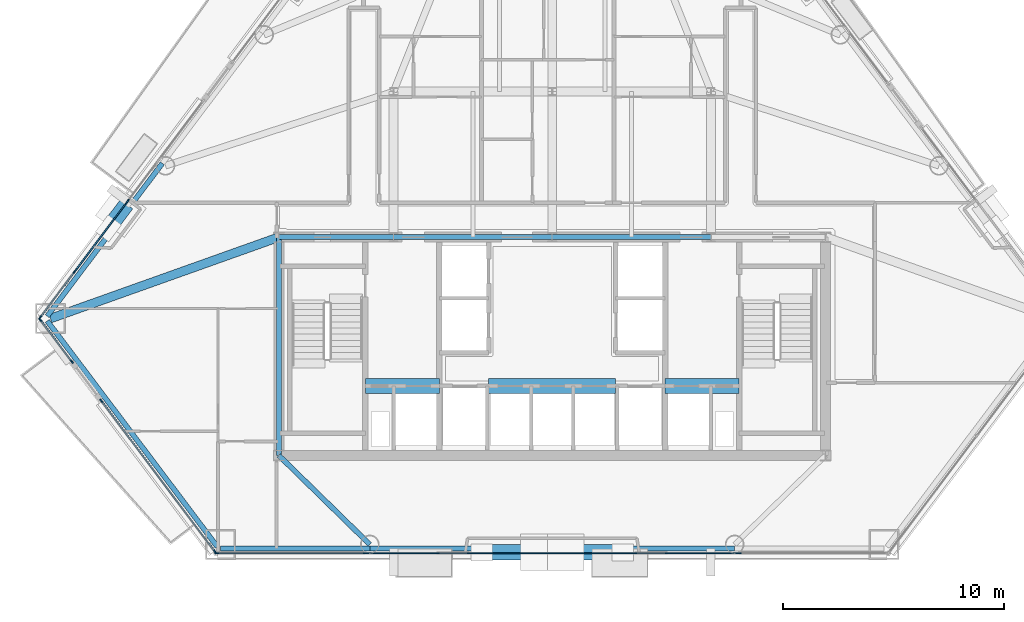
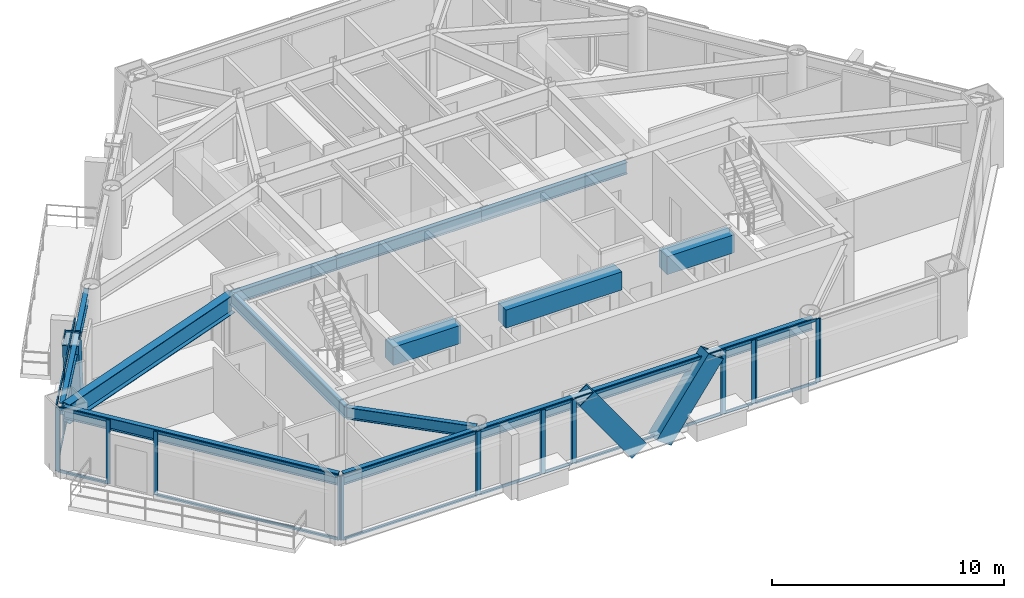
# One storey, part 2 of 11: 45 members, 13 beams, 12 elements without a shape of their own.
"""IFC4 building model written with IfcOpenShell, lengths in metres."""

from ifc_helpers import new_model, si_unit, direction, frame, origin, origin_2d, place, context, subcontext, project, spatial, rectangle, hollow_rectangle, i_section, extrude, material, layer, layer_set, material_profile, profile_set, type_object, element, aggregate, save


model = new_model("IFC4")

# Units and contexts
model_context = context("Model", 3, precision=1e-05, world=origin(), true_north=direction((0.0, 1.0)))
body_context = subcontext(model_context, "Body", "Model", "MODEL_VIEW")
ifc_project = project(units=[si_unit("LENGTHUNIT", "METRE"), si_unit("AREAUNIT", "SQUARE_METRE"), si_unit("VOLUMEUNIT", "CUBIC_METRE"), si_unit("PLANEANGLEUNIT", "RADIAN"), si_unit("MASSUNIT", "GRAM", prefix="KILO")], contexts=[model_context])

# Site, building, storey
site_placement = place(None, origin())
site = spatial("IfcSite", under=ifc_project, at=site_placement, CompositionType="ELEMENT")
building_placement = place(site_placement, origin())
building = spatial("IfcBuilding", under=site, at=building_placement, Name="Talgorran Terracotta Tower", CompositionType="ELEMENT")
storey_placement = place(building_placement, frame((0.0, 0.0, 38.699951171875)))
storey = spatial("IfcBuildingStorey", under=building, at=storey_placement, Name="L09", CompositionType="ELEMENT", Elevation=38.699951171875)

# Beams
ifc_material_1 = material(Name="Steel Grade 350 (350L0)", Category="steel")
ifc_material_profile_1 = material_profile(ifc_material_1, i_section(OverallWidth=0.39990234375, OverallDepth=1.0, WebThickness=0.01611328125, FlangeThickness=0.031005859375, at=origin_2d()), Name="1000WB296")
ifc_profile_set_1 = profile_set([ifc_material_profile_1], Name="Steel Grade 350 (350L0)")
beam_type_1 = type_object("IfcBeamType", Name="BM_1000WB296", PredefinedType="BEAM", material=ifc_profile_set_1)
beam_1_placement = place(storey_placement, frame((-12.39990234375, -4.199951171875, 2.85009765625), z_axis=(-0.941952171634, -0.335747086889, 0.0), x_axis=(0.335747086889, -0.941952171634, 0.0)))
element("IfcBeam", 1, at=beam_1_placement, inside=storey, type_object=beam_type_1, Name="L09 Floor Girder G17", PredefinedType="BEAM", context=body_context, shape_type="SweptSolid", body=[
    extrude(i_section(OverallWidth=0.39990234375, OverallDepth=1.0, WebThickness=0.01611328125, FlangeThickness=0.031005859375, at=origin_2d()), origin(), (0.0, 0.0, 1.0), 10.99755859375),
])
ifc_material_2 = material(Name="Concrete C65/80", Category="concrete")
ifc_material_profile_2 = material_profile(ifc_material_2, rectangle(XDim=0.699951171875, YDim=0.949951171875, at=origin_2d()), Name="RCCB700X950")
ifc_profile_set_2 = profile_set([ifc_material_profile_2], Name="Concrete C65/80")
beam_type_2 = type_object("IfcBeamType", Name="BM_CB_700X950", PredefinedType="LINTEL", material=ifc_profile_set_2)
beam_2_placement = place(storey_placement, frame((-8.47998046875, -10.949951171875, 2.875), z_axis=(1.0, 0.0, 0.0), x_axis=(0.0, 1.0, 0.0)))
element("IfcBeam", 2, at=beam_2_placement, inside=storey, type_object=beam_type_2, Name="L09 Core Shear-Wall Coupling Beam CB1", PredefinedType="LINTEL", context=body_context, shape_type="SweptSolid", body=[
    extrude(rectangle(XDim=0.699951171875, YDim=0.949951171875, at=origin_2d()), origin(), (0.0, 0.0, 1.0), 3.35986328125),
])
beam_3_placement = place(storey_placement, frame((-2.8798828125, -10.949951171875, 2.875), z_axis=(1.0, 0.0, 0.0), x_axis=(0.0, 1.0, 0.0)))
element("IfcBeam", 3, at=beam_3_placement, inside=storey, type_object=beam_type_2, Name="L09 Core Shear-Wall Coupling Beam CB2", PredefinedType="LINTEL", context=body_context, shape_type="SweptSolid", body=[
    extrude(rectangle(XDim=0.699951171875, YDim=0.949951171875, at=origin_2d()), origin(), (0.0, 0.0, 1.0), 5.759765625),
])
beam_4_placement = place(storey_placement, frame((5.1201171875, -10.949951171875, 2.875), z_axis=(1.0, 0.0, 0.0), x_axis=(0.0, 1.0, 0.0)))
element("IfcBeam", 4, at=beam_4_placement, inside=storey, type_object=beam_type_2, Name="L09 Core Shear-Wall Coupling Beam CB3", PredefinedType="LINTEL", context=body_context, shape_type="SweptSolid", body=[
    extrude(rectangle(XDim=0.699951171875, YDim=0.949951171875, at=origin_2d()), origin(), (0.0, 0.0, 1.0), 3.35986328125),
])
ifc_material_3 = material(Name="Steel S355 (300PLUS)", Category="steel")
ifc_material_profile_3 = material_profile(ifc_material_3, i_section(OverallWidth=0.22900390625, OverallDepth=0.611572265625, WebThickness=0.011962890625, FlangeThickness=0.01953125, at=origin_2d()), Name="610UB125")
ifc_profile_set_3 = profile_set([ifc_material_profile_3], Name="Steel S355 (300PLUS)")
beam_type_3 = type_object("IfcBeamType", Name="BM_SP_610UB125", PredefinedType="SPANDREL", material=ifc_profile_set_3)
beam_5_placement = place(storey_placement, frame((-22.90283203125, -8.000732421875, 3.044189453125), z_axis=(0.601631480878, -0.79877378601, 0.0), x_axis=(0.79877378601, 0.601631480878, 0.0)))
element("IfcBeam", 5, at=beam_5_placement, inside=storey, type_object=beam_type_3, Name="L09 Perimeter Spandrel Beam MC1-MC2", PredefinedType="SPANDREL", context=body_context, shape_type="SweptSolid", body=[
    extrude(i_section(OverallWidth=0.22900390625, OverallDepth=0.611572265625, WebThickness=0.011962890625, FlangeThickness=0.01953125, at=origin_2d()), origin(), (0.0, 0.0, 1.0), 12.82373046875),
])
beam_6_placement = place(storey_placement, frame((-15.0439453125, -18.315673828125, 3.044189453125), z_axis=(1.0, 0.0, 0.0), x_axis=(0.0, 1.0, 0.0)))
element("IfcBeam", 6, at=beam_6_placement, inside=storey, type_object=beam_type_3, Name="L09 Perimeter Spandrel Beam MC2-FC1", PredefinedType="SPANDREL", context=body_context, shape_type="SweptSolid", body=[
    extrude(i_section(OverallWidth=0.22900390625, OverallDepth=0.611572265625, WebThickness=0.011962890625, FlangeThickness=0.01953125, at=origin_2d()), origin(), (0.0, 0.0, 1.0), 6.769775390625),
])
beam_7_placement = place(storey_placement, frame((-8.274169921875, -18.315673828125, 3.044189453125), z_axis=(1.0, 0.0, 0.0), x_axis=(0.0, 1.0, 0.0)))
element("IfcBeam", 7, at=beam_7_placement, inside=storey, type_object=beam_type_3, Name="L09 Perimeter Spandrel Beam FC1-FC2", PredefinedType="SPANDREL", context=body_context, shape_type="SweptSolid", body=[
    extrude(i_section(OverallWidth=0.22900390625, OverallDepth=0.611572265625, WebThickness=0.011962890625, FlangeThickness=0.01953125, at=origin_2d()), origin(), (0.0, 0.0, 1.0), 16.54833984375),
])
beam_8_placement = place(storey_placement, frame((-17.68359375, -0.854736328125, 3.044189453125), z_axis=(-0.601633271951, -0.798772436981, 0.0), x_axis=(0.798772436981, -0.601633271951, 0.0)))
element("IfcBeam", 8, at=beam_8_placement, inside=storey, type_object=beam_type_3, Name="L09 Perimeter Spandrel Beam FC6-MC1", PredefinedType="SPANDREL", context=body_context, shape_type="SweptSolid", body=[
    extrude(i_section(OverallWidth=0.22900390625, OverallDepth=0.611572265625, WebThickness=0.011962890625, FlangeThickness=0.01953125, at=origin_2d()), origin(), (0.0, 0.0, 1.0), 8.675048828125),
])
beam_9_placement = place(storey_placement, frame((-8.274169921875, -18.135498046875, 3.044189453125), z_axis=(-0.714889648405, 0.699237292058, 0.0), x_axis=(-0.699237292058, -0.714889648405, 0.0)))
element("IfcBeam", 9, at=beam_9_placement, inside=storey, type_object=beam_type_3, Name="L09 South-West Core Tie Beam", PredefinedType="SPANDREL", context=body_context, shape_type="SweptSolid", body=[
    extrude(i_section(OverallWidth=0.22900390625, OverallDepth=0.611572265625, WebThickness=0.011962890625, FlangeThickness=0.01953125, at=origin_2d()), origin(), (0.0, 0.0, 1.0), 5.771240234375),
])
beam_10_placement = place(storey_placement, frame((-12.39990234375, -14.10009765625, 3.044189453125), z_axis=(0.0, 1.0, 0.0), x_axis=(-1.0, 0.0, 0.0)))
element("IfcBeam", 10, at=beam_10_placement, inside=storey, type_object=beam_type_3, Name="L09 Core Frame Beam CFW", PredefinedType="SPANDREL", context=body_context, shape_type="SweptSolid", body=[
    extrude(i_section(OverallWidth=0.22900390625, OverallDepth=0.611572265625, WebThickness=0.011962890625, FlangeThickness=0.01953125, at=origin_2d()), origin(), (0.0, 0.0, 1.0), 9.900146484375),
])
beam_11_placement = place(storey_placement, frame((-12.39990234375, -4.199951171875, 3.044189453125), z_axis=(1.0, 0.0, 0.0), x_axis=(0.0, 1.0, 0.0)))
element("IfcBeam", 11, at=beam_11_placement, inside=storey, type_object=beam_type_3, Name="L09 Core Frame Beam CFN1", PredefinedType="SPANDREL", context=body_context, shape_type="SweptSolid", body=[
    extrude(i_section(OverallWidth=0.22900390625, OverallDepth=0.611572265625, WebThickness=0.011962890625, FlangeThickness=0.01953125, at=origin_2d()), origin(), (0.0, 0.0, 1.0), 5.199951171875),
])
for number, where, z_axis, x_axis, name in (
    (12, (-7.199951171875, -4.199951171875, 3.044189453125), (1.0, 0.0, 0.0), (0.0, 1.0, 0.0), "L09 Core Frame Beam CFN2"),
    (13, (0.0, -4.199951171875, 3.044189453125), (1.0, 0.0, 0.0), (0.0, 1.0, 0.0), "L09 Core Frame Beam CFN3"),
):
    element("IfcBeam", number, at=place(storey_placement, frame(where, z_axis=z_axis, x_axis=x_axis)), inside=storey, type_object=beam_type_3, Name=name, PredefinedType="SPANDREL", context=body_context, shape_type="SweptSolid", body=[
        extrude(i_section(OverallWidth=0.22900390625, OverallDepth=0.611572265625, WebThickness=0.011962890625, FlangeThickness=0.01953125, at=origin_2d()), origin(), (0.0, 0.0, 1.0), 7.199951171875),
    ])

# Members
ifc_material_profile_4 = material_profile(ifc_material_1, hollow_rectangle(XDim=0.699951171875, YDim=0.89990234375, WallThickness=0.050048828125, at=origin_2d()), Name="WBOX900X700X50")
ifc_profile_set_4 = profile_set([ifc_material_profile_4], Name="Steel Grade 350 (350L0)")
member_type_1 = type_object("IfcMemberType", Name="MB_MEGA_900", PredefinedType="BRACE", material=ifc_profile_set_4)
for number, where, z_axis, x_axis, name in (
    (14, (-0.60888671875, -18.49560546875, -0.27001953125), (-0.578947335171, 0.0, 0.8153649386), (0.0, -1.0, 0.0), "L09 Exterior Face Mega-Brace MB-1 (SWF)"),
    (15, (0.60888671875, -18.49560546875, -0.27001953125), (0.578947335171, 0.0, 0.8153649386), (0.0, 1.0, 0.0), "L09 Exterior Face Mega-Brace MB-1 (SEF)"),
):
    element("IfcMember", number, at=place(storey_placement, frame(where, z_axis=z_axis, x_axis=x_axis)), inside=storey, type_object=member_type_1, Name=name, PredefinedType="BRACE", context=body_context, shape_type="SweptSolid", body=[
        extrude(hollow_rectangle(XDim=0.699951171875, YDim=0.89990234375, WallThickness=0.050048828125, at=origin_2d()), origin(), (0.0, 0.0, 1.0), 4.470458984375),
    ])
member_1_placement = place(storey_placement, frame((-19.56591796875, -3.054443359375, -0.27001953125), z_axis=(-0.149298373035, -0.198221003747, 0.968719995397), x_axis=(0.798774681466, -0.601630291998, 0.0)))
element("IfcMember", 16, at=member_1_placement, inside=storey, type_object=member_type_1, Name="L09 Exterior Face Mega-Brace MB-1 (NWL)", PredefinedType="BRACE", context=body_context, shape_type="SweptSolid", body=[
    extrude(hollow_rectangle(XDim=0.699951171875, YDim=0.89990234375, WallThickness=0.050048828125, at=origin_2d()), origin(), (0.0, 0.0, 1.0), 3.7626953125),
])

# Curtain wall, members
ifc_material_4 = material(Name="Unitised Low-E Double Glazing", Category="glass")
ifc_layer = layer(ifc_material_4, 0.199951171875, Name="CW_SYS2_RES_LOW")
ifc_layer_set = layer_set([ifc_layer], Name="Unitised Low-E Double Glazing")
curtain_wall_type = type_object("IfcCurtainWallType", Name="CW_SYS2_RES_LOW", PredefinedType="NOTDEFINED", material=ifc_layer_set)
curtain_wall_1_placement = place(storey_placement, origin())
curtain_wall_1 = element("IfcCurtainWall", 17, at=curtain_wall_1_placement, inside=storey, type_object=curtain_wall_type, Name="CW-L09-F10", PredefinedType="NOTDEFINED")
ifc_material_5 = material(Name="Architectural Aluminium 6063-T6", Category="aluminium")
ifc_material_profile_5 = material_profile(ifc_material_5, rectangle(XDim=0.06494140625, YDim=0.18505859375, at=origin_2d()), Name="CWM65X185")
ifc_profile_set_5 = profile_set([ifc_material_profile_5], Name="Architectural Aluminium 6063-T6")
member_type_2 = type_object("IfcMemberType", Name="MUL_65X185", PredefinedType="MULLION", material=ifc_profile_set_5)
member_2_placement = place(storey_placement, frame((-23.216064453125, -7.950439453125, 0.0), z_axis=(0.0, 0.0, 1.0), x_axis=(0.798762938976, 0.601645881993, 0.0)))
member_2 = element("IfcMember", 18, at=member_2_placement, type_object=member_type_2, Name="CW-L09-10 mullion 1", PredefinedType="MULLION", context=body_context, shape_type="SweptSolid", body=[
    extrude(rectangle(XDim=0.06494140625, YDim=0.18505859375, at=origin_2d()), origin(), (0.0, 0.0, 1.0), 3.35009765625),
])
member_3_placement = place(storey_placement, frame((-21.788330078125, -9.845947265625, 0.0), z_axis=(0.0, 0.0, 1.0), x_axis=(0.798762938976, 0.601645881993, 0.0)))
member_3 = element("IfcMember", 19, at=member_3_placement, type_object=member_type_2, Name="CW-L09-10 mullion 2", PredefinedType="MULLION", context=body_context, shape_type="SweptSolid", body=[
    extrude(rectangle(XDim=0.06494140625, YDim=0.18505859375, at=origin_2d()), origin(), (0.0, 0.0, 1.0), 3.35009765625),
])

curtain_wall_2_placement = place(storey_placement, origin())
curtain_wall_2 = element("IfcCurtainWall", 20, at=curtain_wall_2_placement, inside=storey, type_object=curtain_wall_type, Name="CW-L09-F11", PredefinedType="NOTDEFINED")
member_4_placement = place(storey_placement, frame((-20.44970703125, -11.623291015625, 0.0), z_axis=(0.0, 0.0, 1.0), x_axis=(0.798772812972, 0.601632772758, 0.0)))
member_4 = element("IfcMember", 21, at=member_4_placement, type_object=member_type_2, Name="CW-L09-11 mullion 1", PredefinedType="MULLION", context=body_context, shape_type="SweptSolid", body=[
    extrude(rectangle(XDim=0.06494140625, YDim=0.18505859375, at=origin_2d()), origin(), (0.0, 0.0, 1.0), 3.35009765625),
])
member_5_placement = place(storey_placement, frame((-15.287109375, -18.4775390625, 0.0), z_axis=(0.0, 0.0, 1.0), x_axis=(0.798772812972, 0.601632772758, 0.0)))
member_5 = element("IfcMember", 22, at=member_5_placement, type_object=member_type_2, Name="CW-L09-11 mullion 2", PredefinedType="MULLION", context=body_context, shape_type="SweptSolid", body=[
    extrude(rectangle(XDim=0.06494140625, YDim=0.18505859375, at=origin_2d()), origin(), (0.0, 0.0, 1.0), 3.35009765625),
])

curtain_wall_3_placement = place(storey_placement, origin())
curtain_wall_3 = element("IfcCurtainWall", 23, at=curtain_wall_3_placement, inside=storey, type_object=curtain_wall_type, Name="CW-L09-F1", PredefinedType="NOTDEFINED")
member_6_placement = place(storey_placement, frame((-15.2109375, -18.53564453125, 0.0), z_axis=(0.0, 0.0, 1.0), x_axis=(0.0, 1.0, 0.0)))
member_6 = element("IfcMember", 24, at=member_6_placement, type_object=member_type_2, Name="CW-L09-1 mullion 1", PredefinedType="MULLION", context=body_context, shape_type="SweptSolid", body=[
    extrude(rectangle(XDim=0.06494140625, YDim=0.18505859375, at=origin_2d()), origin(), (0.0, 0.0, 1.0), 3.35009765625),
])
member_7_placement = place(storey_placement, frame((-8.485107421875, -18.53564453125, 0.0), z_axis=(0.0, 0.0, 1.0), x_axis=(0.0, 1.0, 0.0)))
member_7 = element("IfcMember", 25, at=member_7_placement, type_object=member_type_2, Name="CW-L09-1 mullion 2", PredefinedType="MULLION", context=body_context, shape_type="SweptSolid", body=[
    extrude(rectangle(XDim=0.06494140625, YDim=0.18505859375, at=origin_2d()), origin(), (0.0, 0.0, 1.0), 3.35009765625),
])

curtain_wall_4_placement = place(storey_placement, origin())
curtain_wall_4 = element("IfcCurtainWall", 26, at=curtain_wall_4_placement, inside=storey, type_object=curtain_wall_type, Name="CW-L09-F1B", PredefinedType="NOTDEFINED")
member_8_placement = place(storey_placement, frame((-8.409912109375, -18.53564453125, 0.0), z_axis=(0.0, 0.0, 1.0), x_axis=(0.0, 1.0, 0.0)))
member_8 = element("IfcMember", 27, at=member_8_placement, type_object=member_type_2, Name="CW-L09-1B mullion 1", PredefinedType="MULLION", context=body_context, shape_type="SweptSolid", body=[
    extrude(rectangle(XDim=0.06494140625, YDim=0.18505859375, at=origin_2d()), origin(), (0.0, 0.0, 1.0), 3.35009765625),
])
member_9_placement = place(storey_placement, frame((-5.291015625, -18.53564453125, 0.0), z_axis=(0.0, 0.0, 1.0), x_axis=(0.0, 1.0, 0.0)))
member_9 = element("IfcMember", 28, at=member_9_placement, type_object=member_type_2, Name="CW-L09-1B mullion 2", PredefinedType="MULLION", context=body_context, shape_type="SweptSolid", body=[
    extrude(rectangle(XDim=0.06494140625, YDim=0.18505859375, at=origin_2d()), origin(), (0.0, 0.0, 1.0), 3.35009765625),
])

curtain_wall_5_placement = place(storey_placement, origin())
curtain_wall_5 = element("IfcCurtainWall", 29, at=curtain_wall_5_placement, inside=storey, type_object=curtain_wall_type, Name="CW-L09-F1C", PredefinedType="NOTDEFINED")
member_10_placement = place(storey_placement, frame((-5.216064453125, -18.53564453125, 0.0), z_axis=(0.0, 0.0, 1.0), x_axis=(0.0, 1.0, 0.0)))
member_10 = element("IfcMember", 30, at=member_10_placement, type_object=member_type_2, Name="CW-L09-1C mullion 1", PredefinedType="MULLION", context=body_context, shape_type="SweptSolid", body=[
    extrude(rectangle(XDim=0.06494140625, YDim=0.18505859375, at=origin_2d()), origin(), (0.0, 0.0, 1.0), 3.35009765625),
])
member_11_placement = place(storey_placement, frame((-3.751220703125, -18.53564453125, 0.0), z_axis=(0.0, 0.0, 1.0), x_axis=(0.0, 1.0, 0.0)))
member_11 = element("IfcMember", 31, at=member_11_placement, type_object=member_type_2, Name="CW-L09-1C mullion 2", PredefinedType="MULLION", context=body_context, shape_type="SweptSolid", body=[
    extrude(rectangle(XDim=0.06494140625, YDim=0.18505859375, at=origin_2d()), origin(), (0.0, 0.0, 1.0), 3.35009765625),
])

curtain_wall_6_placement = place(storey_placement, origin())
curtain_wall_6 = element("IfcCurtainWall", 32, at=curtain_wall_6_placement, inside=storey, type_object=curtain_wall_type, Name="CW-L09-F1D", PredefinedType="NOTDEFINED")
member_12_placement = place(storey_placement, frame((-3.67626953125, -18.53564453125, 0.0), z_axis=(0.0, 0.0, 1.0), x_axis=(0.0, 1.0, 0.0)))
member_12 = element("IfcMember", 33, at=member_12_placement, type_object=member_type_2, Name="CW-L09-1D mullion 1", PredefinedType="MULLION", context=body_context, shape_type="SweptSolid", body=[
    extrude(rectangle(XDim=0.06494140625, YDim=0.18505859375, at=origin_2d()), origin(), (0.0, 0.0, 1.0), 3.35009765625),
])
member_13_placement = place(storey_placement, frame((3.67626953125, -18.53564453125, 0.0), z_axis=(0.0, 0.0, 1.0), x_axis=(0.0, 1.0, 0.0)))
member_13 = element("IfcMember", 34, at=member_13_placement, type_object=member_type_2, Name="CW-L09-1D mullion 2", PredefinedType="MULLION", context=body_context, shape_type="SweptSolid", body=[
    extrude(rectangle(XDim=0.06494140625, YDim=0.18505859375, at=origin_2d()), origin(), (0.0, 0.0, 1.0), 3.35009765625),
])

curtain_wall_7_placement = place(storey_placement, origin())
curtain_wall_7 = element("IfcCurtainWall", 35, at=curtain_wall_7_placement, inside=storey, type_object=curtain_wall_type, Name="CW-L09-F1E", PredefinedType="NOTDEFINED")
member_14_placement = place(storey_placement, frame((3.751220703125, -18.53564453125, 0.0), z_axis=(0.0, 0.0, 1.0), x_axis=(0.0, 1.0, 0.0)))
member_14 = element("IfcMember", 36, at=member_14_placement, type_object=member_type_2, Name="CW-L09-1E mullion 1", PredefinedType="MULLION", context=body_context, shape_type="SweptSolid", body=[
    extrude(rectangle(XDim=0.06494140625, YDim=0.18505859375, at=origin_2d()), origin(), (0.0, 0.0, 1.0), 3.35009765625),
])
member_15_placement = place(storey_placement, frame((5.216064453125, -18.53564453125, 0.0), z_axis=(0.0, 0.0, 1.0), x_axis=(0.0, 1.0, 0.0)))
member_15 = element("IfcMember", 37, at=member_15_placement, type_object=member_type_2, Name="CW-L09-1E mullion 2", PredefinedType="MULLION", context=body_context, shape_type="SweptSolid", body=[
    extrude(rectangle(XDim=0.06494140625, YDim=0.18505859375, at=origin_2d()), origin(), (0.0, 0.0, 1.0), 3.35009765625),
])

curtain_wall_8_placement = place(storey_placement, origin())
curtain_wall_8 = element("IfcCurtainWall", 38, at=curtain_wall_8_placement, inside=storey, type_object=curtain_wall_type, Name="CW-L09-F1F", PredefinedType="NOTDEFINED")
member_16_placement = place(storey_placement, frame((5.291015625, -18.53564453125, 0.0), z_axis=(0.0, 0.0, 1.0), x_axis=(0.0, 1.0, 0.0)))
member_16 = element("IfcMember", 39, at=member_16_placement, type_object=member_type_2, Name="CW-L09-1F mullion 1", PredefinedType="MULLION", context=body_context, shape_type="SweptSolid", body=[
    extrude(rectangle(XDim=0.06494140625, YDim=0.18505859375, at=origin_2d()), origin(), (0.0, 0.0, 1.0), 3.35009765625),
])
member_17_placement = place(storey_placement, frame((8.409912109375, -18.53564453125, 0.0), z_axis=(0.0, 0.0, 1.0), x_axis=(0.0, 1.0, 0.0)))
member_17 = element("IfcMember", 40, at=member_17_placement, type_object=member_type_2, Name="CW-L09-1F mullion 2", PredefinedType="MULLION", context=body_context, shape_type="SweptSolid", body=[
    extrude(rectangle(XDim=0.06494140625, YDim=0.18505859375, at=origin_2d()), origin(), (0.0, 0.0, 1.0), 3.35009765625),
])

# Curtain wall, member
curtain_wall_9_placement = place(storey_placement, origin())
curtain_wall_9 = element("IfcCurtainWall", 41, at=curtain_wall_9_placement, inside=storey, type_object=curtain_wall_type, Name="CW-L09-F1G", PredefinedType="NOTDEFINED")
member_18_placement = place(storey_placement, frame((8.485107421875, -18.53564453125, 0.0), z_axis=(0.0, 0.0, 1.0), x_axis=(0.0, 1.0, 0.0)))
member_18 = element("IfcMember", 42, at=member_18_placement, type_object=member_type_2, Name="CW-L09-1G mullion 1", PredefinedType="MULLION", context=body_context, shape_type="SweptSolid", body=[
    extrude(rectangle(XDim=0.06494140625, YDim=0.18505859375, at=origin_2d()), origin(), (0.0, 0.0, 1.0), 3.35009765625),
])
aggregate(curtain_wall_9, [member_18])

curtain_wall_10_placement = place(storey_placement, origin())
curtain_wall_10 = element("IfcCurtainWall", 43, at=curtain_wall_10_placement, inside=storey, type_object=curtain_wall_type, Name="CW-L09-F61", PredefinedType="NOTDEFINED")
member_19_placement = place(storey_placement, frame((-19.2470703125, -2.56494140625, 0.0), z_axis=(0.0, 0.0, 1.0), x_axis=(0.79877585665, -0.601628731722, 0.0)))
member_19 = element("IfcMember", 44, at=member_19_placement, type_object=member_type_2, Name="CW-L09-61 mullion 2", PredefinedType="MULLION", context=body_context, shape_type="SweptSolid", body=[
    extrude(rectangle(XDim=0.06494140625, YDim=0.18505859375, at=origin_2d()), origin(), (0.0, 0.0, 1.0), 3.35009765625),
])
aggregate(curtain_wall_10, [member_19])

# Curtain wall, members
curtain_wall_11_placement = place(storey_placement, origin())
curtain_wall_11 = element("IfcCurtainWall", 45, at=curtain_wall_11_placement, inside=storey, type_object=curtain_wall_type, Name="CW-L09-F61B", PredefinedType="NOTDEFINED")
member_20_placement = place(storey_placement, frame((-19.292236328125, -2.624755859375, 0.0), z_axis=(0.0, 0.0, 1.0), x_axis=(0.798774003378, -0.601631192283, 0.0)))
member_20 = element("IfcMember", 46, at=member_20_placement, type_object=member_type_2, Name="CW-L09-61B mullion 1", PredefinedType="MULLION", context=body_context, shape_type="SweptSolid", body=[
    extrude(rectangle(XDim=0.06494140625, YDim=0.18505859375, at=origin_2d()), origin(), (0.0, 0.0, 1.0), 3.35009765625),
])
member_21_placement = place(storey_placement, frame((-21.61181640625, -5.704345703125, 0.0), z_axis=(0.0, 0.0, 1.0), x_axis=(0.798774003378, -0.601631192283, 0.0)))
member_21 = element("IfcMember", 47, at=member_21_placement, type_object=member_type_2, Name="CW-L09-61B mullion 2", PredefinedType="MULLION", context=body_context, shape_type="SweptSolid", body=[
    extrude(rectangle(XDim=0.06494140625, YDim=0.18505859375, at=origin_2d()), origin(), (0.0, 0.0, 1.0), 3.35009765625),
])

curtain_wall_12_placement = place(storey_placement, origin())
curtain_wall_12 = element("IfcCurtainWall", 48, at=curtain_wall_12_placement, inside=storey, type_object=curtain_wall_type, Name="CW-L09-F61C", PredefinedType="NOTDEFINED")
member_22_placement = place(storey_placement, frame((-21.656982421875, -5.764404296875, 0.0), z_axis=(0.0, 0.0, 1.0), x_axis=(0.798769677919, -0.601636935067, 0.0)))
member_22 = element("IfcMember", 49, at=member_22_placement, type_object=member_type_2, Name="CW-L09-61C mullion 1", PredefinedType="MULLION", context=body_context, shape_type="SweptSolid", body=[
    extrude(rectangle(XDim=0.06494140625, YDim=0.18505859375, at=origin_2d()), origin(), (0.0, 0.0, 1.0), 3.35009765625),
])
member_23_placement = place(storey_placement, frame((-23.216064453125, -7.83447265625, 0.0), z_axis=(0.0, 0.0, 1.0), x_axis=(0.798769677919, -0.601636935067, 0.0)))
member_23 = element("IfcMember", 50, at=member_23_placement, type_object=member_type_2, Name="CW-L09-61C mullion 2", PredefinedType="MULLION", context=body_context, shape_type="SweptSolid", body=[
    extrude(rectangle(XDim=0.06494140625, YDim=0.18505859375, at=origin_2d()), origin(), (0.0, 0.0, 1.0), 3.35009765625),
])

# Member
ifc_material_profile_6 = material_profile(ifc_material_5, rectangle(XDim=0.06494140625, YDim=0.14990234375, at=origin_2d()), Name="CWT65X150")
ifc_profile_set_6 = profile_set([ifc_material_profile_6], Name="Architectural Aluminium 6063-T6")
member_type_3 = type_object("IfcMemberType", Name="TRN_65X150", PredefinedType="USERDEFINED", material=ifc_profile_set_6)
member_24_placement = place(storey_placement, frame((-23.196533203125, -7.976318359375, 0.032470703125), z_axis=(0.601623399788, -0.798779872573, 0.0), x_axis=(0.798779872573, 0.601623399788, 0.0)))
member_24 = element("IfcMember", 51, at=member_24_placement, type_object=member_type_3, Name="CW-L09-10 transom 1.1", ObjectType="TRANSOM", PredefinedType="USERDEFINED", context=body_context, shape_type="SweptSolid", body=[
    extrude(rectangle(XDim=0.06494140625, YDim=0.14990234375, at=origin_2d()), origin(), (0.0, 0.0, 1.0), 2.30810546875),
])

member_25_placement = place(storey_placement, frame((-23.196533203125, -7.976318359375, 3.317626953125), z_axis=(0.601623399788, -0.798779872573, 0.0), x_axis=(0.798779872573, 0.601623399788, 0.0)))
member_25 = element("IfcMember", 52, at=member_25_placement, type_object=member_type_3, Name="CW-L09-10 transom 1.2", ObjectType="TRANSOM", PredefinedType="USERDEFINED", context=body_context, shape_type="SweptSolid", body=[
    extrude(rectangle(XDim=0.06494140625, YDim=0.14990234375, at=origin_2d()), origin(), (0.0, 0.0, 1.0), 2.30810546875),
])

aggregate(curtain_wall_1, [member_2, member_3, member_24, member_25])

member_26_placement = place(storey_placement, frame((-20.43017578125, -11.649169921875, 0.032470703125), z_axis=(0.601627100732, -0.79877708509, 0.0), x_axis=(0.79877708509, 0.601627100732, 0.0)))
member_26 = element("IfcMember", 53, at=member_26_placement, type_object=member_type_3, Name="CW-L09-11 transom 1.1", ObjectType="TRANSOM", PredefinedType="USERDEFINED", context=body_context, shape_type="SweptSolid", body=[
    extrude(rectangle(XDim=0.06494140625, YDim=0.14990234375, at=origin_2d()), origin(), (0.0, 0.0, 1.0), 8.51611328125),
])

member_27_placement = place(storey_placement, frame((-20.43017578125, -11.649169921875, 3.317626953125), z_axis=(0.601627100732, -0.79877708509, 0.0), x_axis=(0.79877708509, 0.601627100732, 0.0)))
member_27 = element("IfcMember", 54, at=member_27_placement, type_object=member_type_3, Name="CW-L09-11 transom 1.2", ObjectType="TRANSOM", PredefinedType="USERDEFINED", context=body_context, shape_type="SweptSolid", body=[
    extrude(rectangle(XDim=0.06494140625, YDim=0.14990234375, at=origin_2d()), origin(), (0.0, 0.0, 1.0), 8.51611328125),
])

aggregate(curtain_wall_2, [member_4, member_5, member_26, member_27])

member_28_placement = place(storey_placement, frame((-15.178466796875, -18.53564453125, 0.032470703125), z_axis=(1.0, 0.0, 0.0), x_axis=(0.0, 1.0, 0.0)))
member_28 = element("IfcMember", 55, at=member_28_placement, type_object=member_type_3, Name="CW-L09-1 transom 1.1", ObjectType="TRANSOM", PredefinedType="USERDEFINED", context=body_context, shape_type="SweptSolid", body=[
    extrude(rectangle(XDim=0.06494140625, YDim=0.14990234375, at=origin_2d()), origin(), (0.0, 0.0, 1.0), 6.660888671875),
])

member_29_placement = place(storey_placement, frame((-15.178466796875, -18.53564453125, 3.317626953125), z_axis=(1.0, 0.0, 0.0), x_axis=(0.0, 1.0, 0.0)))
member_29 = element("IfcMember", 56, at=member_29_placement, type_object=member_type_3, Name="CW-L09-1 transom 1.2", ObjectType="TRANSOM", PredefinedType="USERDEFINED", context=body_context, shape_type="SweptSolid", body=[
    extrude(rectangle(XDim=0.06494140625, YDim=0.14990234375, at=origin_2d()), origin(), (0.0, 0.0, 1.0), 6.660888671875),
])

aggregate(curtain_wall_3, [member_6, member_7, member_28, member_29])

member_30_placement = place(storey_placement, frame((-8.37744140625, -18.53564453125, 0.032470703125), z_axis=(1.0, 0.0, 0.0), x_axis=(0.0, 1.0, 0.0)))
member_30 = element("IfcMember", 57, at=member_30_placement, type_object=member_type_3, Name="CW-L09-1B transom 1.1", ObjectType="TRANSOM", PredefinedType="USERDEFINED", context=body_context, shape_type="SweptSolid", body=[
    extrude(rectangle(XDim=0.06494140625, YDim=0.14990234375, at=origin_2d()), origin(), (0.0, 0.0, 1.0), 3.053955078125),
])

member_31_placement = place(storey_placement, frame((-8.37744140625, -18.53564453125, 3.317626953125), z_axis=(1.0, 0.0, 0.0), x_axis=(0.0, 1.0, 0.0)))
member_31 = element("IfcMember", 58, at=member_31_placement, type_object=member_type_3, Name="CW-L09-1B transom 1.2", ObjectType="TRANSOM", PredefinedType="USERDEFINED", context=body_context, shape_type="SweptSolid", body=[
    extrude(rectangle(XDim=0.06494140625, YDim=0.14990234375, at=origin_2d()), origin(), (0.0, 0.0, 1.0), 3.053955078125),
])

aggregate(curtain_wall_4, [member_8, member_9, member_30, member_31])

member_32_placement = place(storey_placement, frame((-5.18359375, -18.53564453125, 0.032470703125), z_axis=(1.0, 0.0, 0.0), x_axis=(0.0, 1.0, 0.0)))
member_32 = element("IfcMember", 59, at=member_32_placement, type_object=member_type_3, Name="CW-L09-1C transom 1.1", ObjectType="TRANSOM", PredefinedType="USERDEFINED", context=body_context, shape_type="SweptSolid", body=[
    extrude(rectangle(XDim=0.06494140625, YDim=0.14990234375, at=origin_2d()), origin(), (0.0, 0.0, 1.0), 1.39990234375),
])

member_33_placement = place(storey_placement, frame((-5.18359375, -18.53564453125, 3.317626953125), z_axis=(1.0, 0.0, 0.0), x_axis=(0.0, 1.0, 0.0)))
member_33 = element("IfcMember", 60, at=member_33_placement, type_object=member_type_3, Name="CW-L09-1C transom 1.2", ObjectType="TRANSOM", PredefinedType="USERDEFINED", context=body_context, shape_type="SweptSolid", body=[
    extrude(rectangle(XDim=0.06494140625, YDim=0.14990234375, at=origin_2d()), origin(), (0.0, 0.0, 1.0), 1.39990234375),
])

aggregate(curtain_wall_5, [member_10, member_11, member_32, member_33])

member_34_placement = place(storey_placement, frame((-3.643798828125, -18.53564453125, 0.032470703125), z_axis=(1.0, 0.0, 0.0), x_axis=(0.0, 1.0, 0.0)))
member_34 = element("IfcMember", 61, at=member_34_placement, type_object=member_type_3, Name="CW-L09-1D transom 1.1", ObjectType="TRANSOM", PredefinedType="USERDEFINED", context=body_context, shape_type="SweptSolid", body=[
    extrude(rectangle(XDim=0.06494140625, YDim=0.14990234375, at=origin_2d()), origin(), (0.0, 0.0, 1.0), 7.28759765625),
])

member_35_placement = place(storey_placement, frame((-3.643798828125, -18.53564453125, 3.317626953125), z_axis=(1.0, 0.0, 0.0), x_axis=(0.0, 1.0, 0.0)))
member_35 = element("IfcMember", 62, at=member_35_placement, type_object=member_type_3, Name="CW-L09-1D transom 1.2", ObjectType="TRANSOM", PredefinedType="USERDEFINED", context=body_context, shape_type="SweptSolid", body=[
    extrude(rectangle(XDim=0.06494140625, YDim=0.14990234375, at=origin_2d()), origin(), (0.0, 0.0, 1.0), 7.28759765625),
])

aggregate(curtain_wall_6, [member_12, member_13, member_34, member_35])

member_36_placement = place(storey_placement, frame((3.78369140625, -18.53564453125, 0.032470703125), z_axis=(1.0, 0.0, 0.0), x_axis=(0.0, 1.0, 0.0)))
member_36 = element("IfcMember", 63, at=member_36_placement, type_object=member_type_3, Name="CW-L09-1E transom 1.1", ObjectType="TRANSOM", PredefinedType="USERDEFINED", context=body_context, shape_type="SweptSolid", body=[
    extrude(rectangle(XDim=0.06494140625, YDim=0.14990234375, at=origin_2d()), origin(), (0.0, 0.0, 1.0), 1.39990234375),
])

member_37_placement = place(storey_placement, frame((3.78369140625, -18.53564453125, 3.317626953125), z_axis=(1.0, 0.0, 0.0), x_axis=(0.0, 1.0, 0.0)))
member_37 = element("IfcMember", 64, at=member_37_placement, type_object=member_type_3, Name="CW-L09-1E transom 1.2", ObjectType="TRANSOM", PredefinedType="USERDEFINED", context=body_context, shape_type="SweptSolid", body=[
    extrude(rectangle(XDim=0.06494140625, YDim=0.14990234375, at=origin_2d()), origin(), (0.0, 0.0, 1.0), 1.39990234375),
])

aggregate(curtain_wall_7, [member_14, member_15, member_36, member_37])

member_38_placement = place(storey_placement, frame((5.323486328125, -18.53564453125, 0.032470703125), z_axis=(1.0, 0.0, 0.0), x_axis=(0.0, 1.0, 0.0)))
member_38 = element("IfcMember", 65, at=member_38_placement, type_object=member_type_3, Name="CW-L09-1F transom 1.1", ObjectType="TRANSOM", PredefinedType="USERDEFINED", context=body_context, shape_type="SweptSolid", body=[
    extrude(rectangle(XDim=0.06494140625, YDim=0.14990234375, at=origin_2d()), origin(), (0.0, 0.0, 1.0), 3.053955078125),
])

member_39_placement = place(storey_placement, frame((5.323486328125, -18.53564453125, 3.317626953125), z_axis=(1.0, 0.0, 0.0), x_axis=(0.0, 1.0, 0.0)))
member_39 = element("IfcMember", 66, at=member_39_placement, type_object=member_type_3, Name="CW-L09-1F transom 1.2", ObjectType="TRANSOM", PredefinedType="USERDEFINED", context=body_context, shape_type="SweptSolid", body=[
    extrude(rectangle(XDim=0.06494140625, YDim=0.14990234375, at=origin_2d()), origin(), (0.0, 0.0, 1.0), 3.053955078125),
])

aggregate(curtain_wall_8, [member_16, member_17, member_38, member_39])

member_40_placement = place(storey_placement, frame((-19.311767578125, -2.650634765625, 0.032470703125), z_axis=(-0.601626969468, -0.798777183956, 0.0), x_axis=(0.798777183956, -0.601626969468, 0.0)))
member_40 = element("IfcMember", 67, at=member_40_placement, type_object=member_type_3, Name="CW-L09-61B transom 1.1", ObjectType="TRANSOM", PredefinedType="USERDEFINED", context=body_context, shape_type="SweptSolid", body=[
    extrude(rectangle(XDim=0.06494140625, YDim=0.14990234375, at=origin_2d()), origin(), (0.0, 0.0, 1.0), 3.79052734375),
])

member_41_placement = place(storey_placement, frame((-19.311767578125, -2.650634765625, 3.317626953125), z_axis=(-0.601626969468, -0.798777183956, 0.0), x_axis=(0.798777183956, -0.601626969468, 0.0)))
member_41 = element("IfcMember", 68, at=member_41_placement, type_object=member_type_3, Name="CW-L09-61B transom 1.2", ObjectType="TRANSOM", PredefinedType="USERDEFINED", context=body_context, shape_type="SweptSolid", body=[
    extrude(rectangle(XDim=0.06494140625, YDim=0.14990234375, at=origin_2d()), origin(), (0.0, 0.0, 1.0), 3.79052734375),
])

aggregate(curtain_wall_11, [member_20, member_21, member_40, member_41])

member_42_placement = place(storey_placement, frame((-21.676513671875, -5.790283203125, 0.032470703125), z_axis=(-0.601591201846, -0.798804122336, 0.0), x_axis=(0.798804122336, -0.601591201846, 0.0)))
member_42 = element("IfcMember", 69, at=member_42_placement, type_object=member_type_3, Name="CW-L09-61C transom 1.1", ObjectType="TRANSOM", PredefinedType="USERDEFINED", context=body_context, shape_type="SweptSolid", body=[
    extrude(rectangle(XDim=0.06494140625, YDim=0.14990234375, at=origin_2d()), origin(), (0.0, 0.0, 1.0), 2.526611328125),
])

member_43_placement = place(storey_placement, frame((-21.676513671875, -5.790283203125, 3.317626953125), z_axis=(-0.601591201846, -0.798804122336, 0.0), x_axis=(0.798804122336, -0.601591201846, 0.0)))
member_43 = element("IfcMember", 70, at=member_43_placement, type_object=member_type_3, Name="CW-L09-61C transom 1.2", ObjectType="TRANSOM", PredefinedType="USERDEFINED", context=body_context, shape_type="SweptSolid", body=[
    extrude(rectangle(XDim=0.06494140625, YDim=0.14990234375, at=origin_2d()), origin(), (0.0, 0.0, 1.0), 2.526611328125),
])

aggregate(curtain_wall_12, [member_22, member_23, member_42, member_43])

save(model, "model.ifc")
